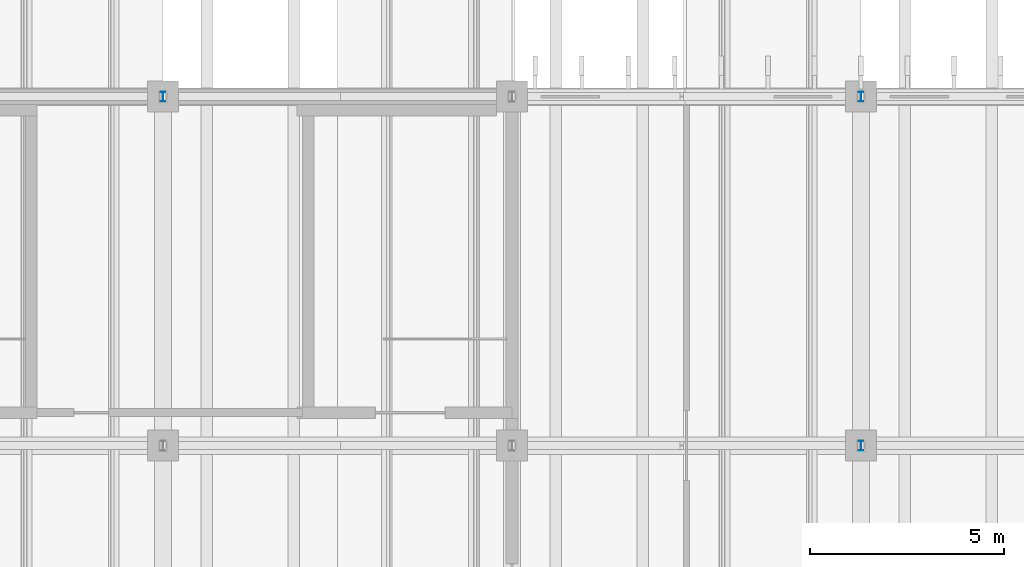
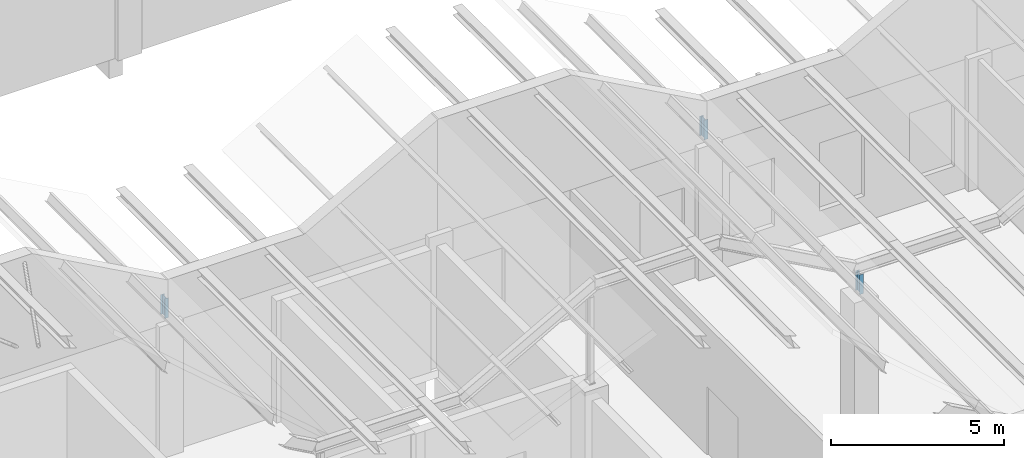
# One storey, part 233 of 437: 3 members.
"""IFC4 building model written with IfcOpenShell, lengths in metres."""

from ifc_helpers import new_model, si_unit, direction, frame, origin, origin_2d, place, context, subcontext, project, spatial, i_section, extrude, material, material_profile, profile_set, type_object, element, save


model = new_model("IFC4")

# Units and contexts
model_context = context("Model", 3, precision=1e-05, world=origin(), true_north=direction((0.0, 1.0)))
body_context = subcontext(model_context, "Body", "Model", "MODEL_VIEW")
ifc_project = project(units=[si_unit("LENGTHUNIT", "METRE"), si_unit("AREAUNIT", "SQUARE_METRE"), si_unit("VOLUMEUNIT", "CUBIC_METRE"), si_unit("PLANEANGLEUNIT", "RADIAN"), si_unit("MASSUNIT", "GRAM", prefix="KILO")], contexts=[model_context])

# Site, building, storey
site_placement = place(None, origin())
site = spatial("IfcSite", under=ifc_project, at=site_placement, CompositionType="ELEMENT")
building_placement = place(site_placement, origin())
building = spatial("IfcBuilding", under=site, at=building_placement, Name="Opaline Strait Convention Centre", CompositionType="ELEMENT")
storey_placement = place(building_placement, frame((0.0, 0.0, 11.5)))
storey = spatial("IfcBuildingStorey", under=building, at=storey_placement, Name="L02", CompositionType="ELEMENT", Elevation=11.5)

# Members
ifc_material = material(Name="Steel Q355B", Category="steel")
ifc_material_profile = material_profile(ifc_material, i_section(OverallWidth=0.125, OverallDepth=0.25, WebThickness=0.006103515625, FlangeThickness=0.009033203125, FilletRadius=0.008056640625, at=origin_2d()), Name="HN 250x125x6x9")
ifc_profile_set = profile_set([ifc_material_profile], Name="Steel Q355B")
member_type = type_object("IfcMemberType", Name="Roof post HN 250x125x6x9", PredefinedType="STRUT", material=ifc_profile_set)
for number, where, z_axis, x_axis, name in (
    (1, (36.0, 90.0, 4.68994140625), (0.0, 0.0, 1.0), (1.0, 0.0, 0.0), "RP1 roof post at 36/90"),
    (2, (18.0, 99.0, 4.68994140625), (0.0, 0.0, 1.0), (1.0, 0.0, 0.0), "RP1 roof post at 18/99"),
    (3, (36.0, 99.0, 4.68994140625), (0.0, 0.0, 1.0), (1.0, 0.0, 0.0), "RP1 roof post at 36/99"),
):
    element("IfcMember", number, at=place(storey_placement, frame(where, z_axis=z_axis, x_axis=x_axis)), inside=storey, type_object=member_type, Name=name, PredefinedType="STRUT", context=body_context, shape_type="SweptSolid", body=[
        extrude(i_section(OverallWidth=0.125, OverallDepth=0.25, WebThickness=0.006103515625, FlangeThickness=0.009033203125, FilletRadius=0.008056640625, at=origin_2d()), origin(), (0.0, 0.0, 1.0), 0.695068359375),
    ])

save(model, "model.ifc")
